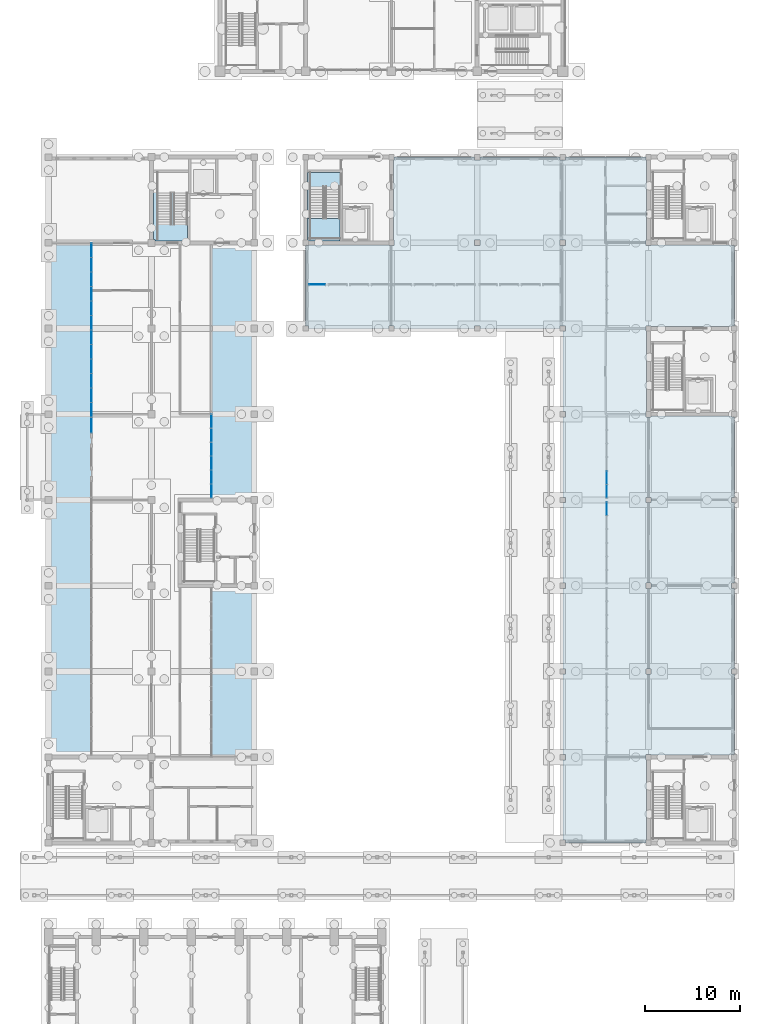
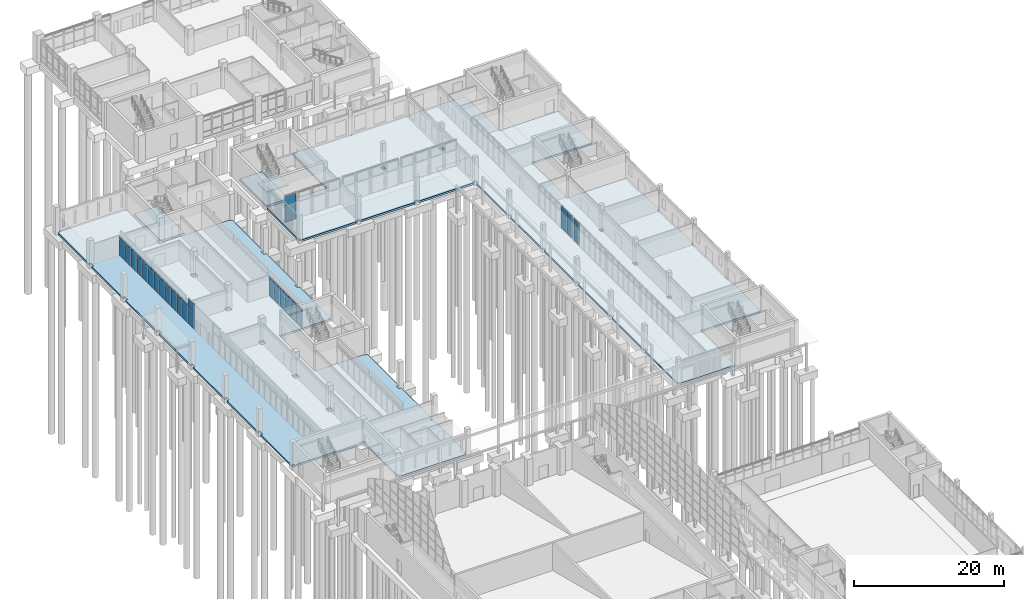
# One storey, part 60 of 106: 46 plates, 5 slabs, 7 elements without a shape of their own.
"""IFC4 building model written with IfcOpenShell, lengths in metres."""

from ifc_helpers import new_model, si_unit, direction, frame, origin, origin_2d, place, context, subcontext, project, spatial, polyline, rectangle, outline, extrude, material, layer, layer_set, type_object, element, aggregate, save


model = new_model("IFC4")

# Units and contexts
model_context = context("Model", 3, precision=1e-05, world=origin(), true_north=direction((0.0, 1.0)))
body_context = subcontext(model_context, "Body", "Model", "MODEL_VIEW")
ifc_project = project(units=[si_unit("LENGTHUNIT", "METRE"), si_unit("AREAUNIT", "SQUARE_METRE"), si_unit("VOLUMEUNIT", "CUBIC_METRE"), si_unit("PLANEANGLEUNIT", "RADIAN"), si_unit("MASSUNIT", "GRAM", prefix="KILO")], contexts=[model_context])

# Site, building, storey
site_placement = place(None, origin())
site = spatial("IfcSite", under=ifc_project, at=site_placement, CompositionType="ELEMENT")
building_placement = place(site_placement, origin())
building = spatial("IfcBuilding", under=site, at=building_placement, Name="Merrow Basin Faculty of Sciences", CompositionType="ELEMENT")
storey_placement = place(building_placement, origin())
storey = spatial("IfcBuildingStorey", under=building, at=storey_placement, Name="L00", CompositionType="ELEMENT", Elevation=0.0)

# Slabs
ifc_material_1 = material(Name="Concrete C40/50", Category="concrete")
ifc_layer_1 = layer(ifc_material_1, 0.300048828125)
ifc_layer_set_1 = layer_set([ifc_layer_1], Name="Ground slab 300 Concrete C40/50")
slab_type_1 = type_object("IfcSlabType", Name="Ground slab 300 Concrete C40/50", PredefinedType="BASESLAB", material=ifc_layer_set_1)
slab_1_placement = place(storey_placement, frame((0.0, 0.0, -0.300048828125)))
element("IfcSlab", 1, at=slab_1_placement, inside=storey, type_object=slab_type_1, Name="SL3 ground L00 001", PredefinedType="BASESLAB", context=body_context, shape_type="SweptSolid", body=[
    extrude(outline(polyline([(54.27490234375, 61.27490234375), (54.0, 61.27490234375), (54.0, 69.72509765625), (54.27490234375, 69.72509765625), (54.27490234375, 70.27490234375), (54.0, 70.27490234375), (54.0, 78.72509765625), (54.27490234375, 78.72509765625), (54.27490234375, 79.27490234375), (54.0, 79.27490234375), (54.0, 87.72509765625), (54.27490234375, 87.72509765625), (54.27490234375, 88.27490234375), (54.0, 88.27490234375), (54.0, 96.72509765625), (54.27490234375, 96.72509765625), (54.27490234375, 97.27490234375), (54.0, 97.27490234375), (54.0, 105.72509765625), (54.27490234375, 105.72509765625), (54.27490234375, 106.27490234375), (54.0, 106.27490234375), (54.0, 114.72509765625), (54.27490234375, 114.72509765625), (54.27490234375, 115.27490234375), (53.72509765625, 115.27490234375), (53.72509765625, 115.0), (45.27490234375, 115.0), (45.27490234375, 115.27490234375), (44.72509765625, 115.27490234375), (44.72509765625, 115.0), (36.27490234375, 115.0), (36.27490234375, 115.27490234375), (35.72509765625, 115.27490234375), (35.72509765625, 115.0), (27.27490234375, 115.0), (27.27490234375, 115.27490234375), (27.0, 115.27490234375), (27.0, 123.72509765625), (27.27490234375, 123.72509765625), (27.27490234375, 123.800048828125), (35.72509765625, 123.800048828125), (35.72509765625, 123.72509765625), (36.27490234375, 123.72509765625), (36.27490234375, 124.27490234375), (36.199951171875, 124.27490234375), (36.199951171875, 132.72509765625), (36.27490234375, 132.72509765625), (36.27490234375, 133.0), (44.72509765625, 133.0), (44.72509765625, 132.72509765625), (45.27490234375, 132.72509765625), (45.27490234375, 133.0), (53.72509765625, 133.0), (53.72509765625, 132.72509765625), (54.27490234375, 132.72509765625), (54.27490234375, 133.0), (62.72509765625, 133.0), (62.72509765625, 132.72509765625), (62.800048828125, 132.72509765625), (62.800048828125, 124.27490234375), (62.72509765625, 124.27490234375), (62.72509765625, 123.72509765625), (63.27490234375, 123.72509765625), (63.27490234375, 123.800048828125), (71.72509765625, 123.800048828125), (71.72509765625, 123.72509765625), (72.0, 123.72509765625), (72.0, 115.27490234375), (71.72509765625, 115.27490234375), (71.72509765625, 115.199951171875), (63.27490234375, 115.199951171875), (63.27490234375, 115.27490234375), (62.72509765625, 115.27490234375), (62.72509765625, 114.72509765625), (62.800048828125, 114.72509765625), (62.800048828125, 106.27490234375), (62.72509765625, 106.27490234375), (62.72509765625, 105.72509765625), (63.27490234375, 105.72509765625), (63.27490234375, 105.800048828125), (71.72509765625, 105.800048828125), (71.72509765625, 105.72509765625), (72.0, 105.72509765625), (72.0, 97.27490234375), (71.72509765625, 97.27490234375), (71.72509765625, 96.72509765625), (72.0, 96.72509765625), (72.0, 88.27490234375), (71.72509765625, 88.27490234375), (71.72509765625, 87.72509765625), (72.0, 87.72509765625), (72.0, 79.27490234375), (71.72509765625, 79.27490234375), (71.72509765625, 78.72509765625), (72.0, 78.72509765625), (72.0, 70.27490234375), (71.72509765625, 70.27490234375), (71.72509765625, 70.199951171875), (63.27490234375, 70.199951171875), (63.27490234375, 70.27490234375), (62.72509765625, 70.27490234375), (62.72509765625, 69.72509765625), (62.800048828125, 69.72509765625), (62.800048828125, 61.27490234375), (62.72509765625, 61.27490234375), (62.72509765625, 61.0), (54.27490234375, 61.0), (54.27490234375, 61.27490234375)]), holes=[polyline([(62.72509765625, 79.27490234375), (62.72509765625, 78.72509765625), (63.27490234375, 78.72509765625), (63.27490234375, 79.27490234375), (62.72509765625, 79.27490234375)]), polyline([(62.72509765625, 88.27490234375), (62.72509765625, 87.72509765625), (63.27490234375, 87.72509765625), (63.27490234375, 88.27490234375), (62.72509765625, 88.27490234375)]), polyline([(63.27490234375, 97.27490234375), (62.72509765625, 97.27490234375), (62.72509765625, 96.72509765625), (63.27490234375, 96.72509765625), (63.27490234375, 97.27490234375)]), polyline([(53.72509765625, 124.27490234375), (53.72509765625, 123.72509765625), (54.27490234375, 123.72509765625), (54.27490234375, 124.27490234375), (53.72509765625, 124.27490234375)]), polyline([(44.72509765625, 124.27490234375), (44.72509765625, 123.72509765625), (45.27490234375, 123.72509765625), (45.27490234375, 124.27490234375), (44.72509765625, 124.27490234375)])]), origin(), (0.0, 0.0, 1.0), 0.300048828125),
])
slab_2_placement = place(storey_placement, frame((0.0, 0.0, -0.300048828125)))
element("IfcSlab", 2, at=slab_2_placement, inside=storey, type_object=slab_type_1, Name="SL3 ground L00 006", PredefinedType="BASESLAB", context=body_context, shape_type="SweptSolid", body=[
    extrude(outline(polyline([(30.60009765625, 131.39990234375), (30.60009765625, 124.199951171875), (27.27490234375, 124.199951171875), (27.27490234375, 124.27490234375), (27.199951171875, 124.27490234375), (27.199951171875, 131.39990234375), (30.60009765625, 131.39990234375)])), origin(), (0.0, 0.0, 1.0), 0.300048828125),
])
slab_3_placement = place(storey_placement, frame((0.0, 0.0, -0.300048828125)))
element("IfcSlab", 3, at=slab_3_placement, inside=storey, type_object=slab_type_1, Name="SL3 ground L00 001", PredefinedType="BASESLAB", context=body_context, shape_type="SweptSolid", body=[
    extrude(outline(polyline([(0.35009765625, 78.64990234375), (0.35009765625, 79.35009765625), (0.0, 79.35009765625), (0.0, 87.64990234375), (0.35009765625, 87.64990234375), (0.35009765625, 88.35009765625), (0.0, 88.35009765625), (0.0, 96.64990234375), (0.35009765625, 96.64990234375), (0.35009765625, 97.35009765625), (0.0, 97.35009765625), (0.0, 105.64990234375), (0.35009765625, 105.64990234375), (0.35009765625, 106.35009765625), (0.0, 106.35009765625), (0.0, 114.64990234375), (0.35009765625, 114.64990234375), (0.35009765625, 115.35009765625), (0.0, 115.35009765625), (0.0, 123.64990234375), (0.35009765625, 123.64990234375), (0.35009765625, 124.35009765625), (0.0, 124.35009765625), (0.0, 132.64990234375), (0.35009765625, 132.64990234375), (0.35009765625, 133.0), (10.425048828125, 133.0), (10.425048828125, 132.625), (10.60009765625, 132.625), (10.60009765625, 124.375), (10.425048828125, 124.375), (10.425048828125, 123.625), (11.175048828125, 123.625), (11.175048828125, 123.800048828125), (21.25, 123.800048828125), (21.25, 123.64990234375), (21.60009765625, 123.64990234375), (21.60009765625, 115.35009765625), (21.25, 115.35009765625), (21.25, 114.64990234375), (21.60009765625, 114.64990234375), (21.60009765625, 106.35009765625), (21.25, 106.35009765625), (21.25, 105.64990234375), (21.60009765625, 105.64990234375), (21.60009765625, 97.35009765625), (21.25, 97.35009765625), (21.25, 97.199951171875), (13.60009765625, 97.199951171875), (13.60009765625, 96.800048828125), (13.60009765625, 88.199951171875), (13.60009765625, 87.800048828125), (21.25, 87.800048828125), (21.25, 87.64990234375), (21.60009765625, 87.64990234375), (21.60009765625, 79.35009765625), (21.25, 79.35009765625), (21.25, 78.64990234375), (21.60009765625, 78.64990234375), (21.60009765625, 70.35009765625), (21.25, 70.35009765625), (21.25, 69.64990234375), (21.60009765625, 69.64990234375), (21.60009765625, 61.35009765625), (21.25, 61.35009765625), (21.25, 61.0), (11.175048828125, 61.0), (11.175048828125, 61.375), (11.0, 61.375), (11.0, 69.625), (11.175048828125, 69.625), (11.175048828125, 70.375), (10.425048828125, 70.375), (10.425048828125, 70.199951171875), (0.35009765625, 70.199951171875), (0.35009765625, 70.35009765625), (0.0, 70.35009765625), (0.0, 78.64990234375), (0.35009765625, 78.64990234375)]), holes=[polyline([(10.425048828125, 79.375), (10.425048828125, 78.625), (11.175048828125, 78.625), (11.175048828125, 79.375), (10.425048828125, 79.375)]), polyline([(10.425048828125, 88.375), (10.425048828125, 87.625), (11.175048828125, 87.625), (11.175048828125, 88.375), (10.425048828125, 88.375)]), polyline([(10.425048828125, 97.375), (10.425048828125, 96.625), (11.175048828125, 96.625), (11.175048828125, 97.375), (10.425048828125, 97.375)]), polyline([(10.425048828125, 106.375), (10.425048828125, 105.625), (11.175048828125, 105.625), (11.175048828125, 106.375), (10.425048828125, 106.375)]), polyline([(10.425048828125, 115.375), (10.425048828125, 114.625), (11.175048828125, 114.625), (11.175048828125, 115.375), (10.425048828125, 115.375)])]), origin(), (0.0, 0.0, 1.0), 0.300048828125),
])
slab_4_placement = place(storey_placement, frame((0.0, 0.0, -0.300048828125)))
element("IfcSlab", 4, at=slab_4_placement, inside=storey, type_object=slab_type_1, Name="SL3 ground L00 005", PredefinedType="BASESLAB", context=body_context, shape_type="SweptSolid", body=[
    extrude(outline(polyline([(11.0, 131.39990234375), (14.699951171875, 131.39990234375), (14.699951171875, 129.199951171875), (14.60009765625, 129.199951171875), (14.60009765625, 124.199951171875), (11.175048828125, 124.199951171875), (11.175048828125, 124.375), (11.0, 124.375), (11.0, 131.39990234375)])), origin(), (0.0, 0.0, 1.0), 0.300048828125),
])

# Curtain wall, plates
ifc_material_2 = material(Name="Aluminium alloy 6063", Category="aluminium")
curtain_wall_type_1 = type_object("IfcCurtainWallType", Name="Bar ground curtain wall 200", PredefinedType="NOTDEFINED", material=ifc_material_2)
curtain_wall_1_placement = place(storey_placement, origin())
curtain_wall_1 = element("IfcCurtainWall", 5, at=curtain_wall_1_placement, inside=storey, type_object=curtain_wall_type_1, Name="Ground curtain wall L00 3", PredefinedType="NOTDEFINED")
ifc_material_3 = material(Name="Laminated safety glass", Category="glass")
ifc_layer_2 = layer(ifc_material_3, 0.035888671875)
ifc_layer_set_2 = layer_set([ifc_layer_2], Name="Laminated safety glass panel 36")
plate_type = type_object("IfcPlateType", Name="Laminated safety glass panel 36", PredefinedType="CURTAIN_PANEL", material=ifc_layer_set_2)
plate_1_placement = place(storey_placement, frame((4.5, 106.4775390625, 0.06005859375), z_axis=(0.0, 0.0, 1.0), x_axis=(0.0, 1.0, 0.0)))
plate_1 = element("IfcPlate", 6, at=plate_1_placement, type_object=plate_type, Name="CW2 panel 1.1", PredefinedType="CURTAIN_PANEL", context=body_context, shape_type="SweptSolid", body=[
    extrude(rectangle(XDim=1.43505859375, YDim=0.035888671875, at=origin_2d()), origin(), (0.0, 0.0, 1.0), 2.610107421875),
])
plate_2_placement = place(storey_placement, frame((4.5, 106.4775390625, 2.72998046875), z_axis=(0.0, 0.0, 1.0), x_axis=(0.0, 1.0, 0.0)))
plate_2 = element("IfcPlate", 7, at=plate_2_placement, type_object=plate_type, Name="CW2 panel 1.2", PredefinedType="CURTAIN_PANEL", context=body_context, shape_type="SweptSolid", body=[
    extrude(rectangle(XDim=1.43505859375, YDim=0.035888671875, at=origin_2d()), origin(), (0.0, 0.0, 1.0), 0.35009765625),
])
plate_3_placement = place(storey_placement, frame((4.5, 107.987548828125, 0.06005859375), z_axis=(0.0, 0.0, 1.0), x_axis=(0.0, 1.0, 0.0)))
plate_3 = element("IfcPlate", 8, at=plate_3_placement, type_object=plate_type, Name="CW2 panel 2.1", PredefinedType="CURTAIN_PANEL", context=body_context, shape_type="SweptSolid", body=[
    extrude(rectangle(XDim=1.465087890625, YDim=0.035888671875, at=origin_2d()), origin(), (0.0, 0.0, 1.0), 2.610107421875),
])
plate_4_placement = place(storey_placement, frame((4.5, 107.987548828125, 2.72998046875), z_axis=(0.0, 0.0, 1.0), x_axis=(0.0, 1.0, 0.0)))
plate_4 = element("IfcPlate", 9, at=plate_4_placement, type_object=plate_type, Name="CW2 panel 2.2", PredefinedType="CURTAIN_PANEL", context=body_context, shape_type="SweptSolid", body=[
    extrude(rectangle(XDim=1.465087890625, YDim=0.035888671875, at=origin_2d()), origin(), (0.0, 0.0, 1.0), 0.35009765625),
])
plate_5_placement = place(storey_placement, frame((4.5, 109.512451171875, 0.06005859375), z_axis=(0.0, 0.0, 1.0), x_axis=(0.0, 1.0, 0.0)))
plate_5 = element("IfcPlate", 10, at=plate_5_placement, type_object=plate_type, Name="CW2 panel 3.1", PredefinedType="CURTAIN_PANEL", context=body_context, shape_type="SweptSolid", body=[
    extrude(rectangle(XDim=1.465087890625, YDim=0.035888671875, at=origin_2d()), origin(), (0.0, 0.0, 1.0), 2.610107421875),
])
plate_6_placement = place(storey_placement, frame((4.5, 109.512451171875, 2.72998046875), z_axis=(0.0, 0.0, 1.0), x_axis=(0.0, 1.0, 0.0)))
plate_6 = element("IfcPlate", 11, at=plate_6_placement, type_object=plate_type, Name="CW2 panel 3.2", PredefinedType="CURTAIN_PANEL", context=body_context, shape_type="SweptSolid", body=[
    extrude(rectangle(XDim=1.465087890625, YDim=0.035888671875, at=origin_2d()), origin(), (0.0, 0.0, 1.0), 0.35009765625),
])
plate_7_placement = place(storey_placement, frame((4.5, 111.03759765625, 0.06005859375), z_axis=(0.0, 0.0, 1.0), x_axis=(0.0, 1.0, 0.0)))
plate_7 = element("IfcPlate", 12, at=plate_7_placement, type_object=plate_type, Name="CW2 panel 4.1", PredefinedType="CURTAIN_PANEL", context=body_context, shape_type="SweptSolid", body=[
    extrude(rectangle(XDim=1.465087890625, YDim=0.035888671875, at=origin_2d()), origin(), (0.0, 0.0, 1.0), 2.610107421875),
])
plate_8_placement = place(storey_placement, frame((4.5, 111.03759765625, 2.72998046875), z_axis=(0.0, 0.0, 1.0), x_axis=(0.0, 1.0, 0.0)))
plate_8 = element("IfcPlate", 13, at=plate_8_placement, type_object=plate_type, Name="CW2 panel 4.2", PredefinedType="CURTAIN_PANEL", context=body_context, shape_type="SweptSolid", body=[
    extrude(rectangle(XDim=1.465087890625, YDim=0.035888671875, at=origin_2d()), origin(), (0.0, 0.0, 1.0), 0.35009765625),
])
plate_9_placement = place(storey_placement, frame((4.5, 112.5625, 0.06005859375), z_axis=(0.0, 0.0, 1.0), x_axis=(0.0, 1.0, 0.0)))
plate_9 = element("IfcPlate", 14, at=plate_9_placement, type_object=plate_type, Name="CW2 panel 5.1", PredefinedType="CURTAIN_PANEL", context=body_context, shape_type="SweptSolid", body=[
    extrude(rectangle(XDim=1.465087890625, YDim=0.035888671875, at=origin_2d()), origin(), (0.0, 0.0, 1.0), 2.610107421875),
])
plate_10_placement = place(storey_placement, frame((4.5, 112.5625, 2.72998046875), z_axis=(0.0, 0.0, 1.0), x_axis=(0.0, 1.0, 0.0)))
plate_10 = element("IfcPlate", 15, at=plate_10_placement, type_object=plate_type, Name="CW2 panel 5.2", PredefinedType="CURTAIN_PANEL", context=body_context, shape_type="SweptSolid", body=[
    extrude(rectangle(XDim=1.465087890625, YDim=0.035888671875, at=origin_2d()), origin(), (0.0, 0.0, 1.0), 0.35009765625),
])
plate_11_placement = place(storey_placement, frame((4.5, 114.08740234375, 0.06005859375), z_axis=(0.0, 0.0, 1.0), x_axis=(0.0, 1.0, 0.0)))
plate_11 = element("IfcPlate", 16, at=plate_11_placement, type_object=plate_type, Name="CW2 panel 6.1", PredefinedType="CURTAIN_PANEL", context=body_context, shape_type="SweptSolid", body=[
    extrude(rectangle(XDim=1.465087890625, YDim=0.035888671875, at=origin_2d()), origin(), (0.0, 0.0, 1.0), 2.610107421875),
])
plate_12_placement = place(storey_placement, frame((4.5, 114.08740234375, 2.72998046875), z_axis=(0.0, 0.0, 1.0), x_axis=(0.0, 1.0, 0.0)))
plate_12 = element("IfcPlate", 17, at=plate_12_placement, type_object=plate_type, Name="CW2 panel 6.2", PredefinedType="CURTAIN_PANEL", context=body_context, shape_type="SweptSolid", body=[
    extrude(rectangle(XDim=1.465087890625, YDim=0.035888671875, at=origin_2d()), origin(), (0.0, 0.0, 1.0), 0.35009765625),
])
plate_13_placement = place(storey_placement, frame((4.5, 115.612548828125, 0.06005859375), z_axis=(0.0, 0.0, 1.0), x_axis=(0.0, 1.0, 0.0)))
plate_13 = element("IfcPlate", 18, at=plate_13_placement, type_object=plate_type, Name="CW2 panel 7.1", PredefinedType="CURTAIN_PANEL", context=body_context, shape_type="SweptSolid", body=[
    extrude(rectangle(XDim=1.465087890625, YDim=0.035888671875, at=origin_2d()), origin(), (0.0, 0.0, 1.0), 2.610107421875),
])
plate_14_placement = place(storey_placement, frame((4.5, 115.612548828125, 2.72998046875), z_axis=(0.0, 0.0, 1.0), x_axis=(0.0, 1.0, 0.0)))
plate_14 = element("IfcPlate", 19, at=plate_14_placement, type_object=plate_type, Name="CW2 panel 7.2", PredefinedType="CURTAIN_PANEL", context=body_context, shape_type="SweptSolid", body=[
    extrude(rectangle(XDim=1.465087890625, YDim=0.035888671875, at=origin_2d()), origin(), (0.0, 0.0, 1.0), 0.35009765625),
])
plate_15_placement = place(storey_placement, frame((4.5, 117.137451171875, 0.06005859375), z_axis=(0.0, 0.0, 1.0), x_axis=(0.0, 1.0, 0.0)))
plate_15 = element("IfcPlate", 20, at=plate_15_placement, type_object=plate_type, Name="CW2 panel 8.1", PredefinedType="CURTAIN_PANEL", context=body_context, shape_type="SweptSolid", body=[
    extrude(rectangle(XDim=1.465087890625, YDim=0.035888671875, at=origin_2d()), origin(), (0.0, 0.0, 1.0), 2.610107421875),
])
plate_16_placement = place(storey_placement, frame((4.5, 117.137451171875, 2.72998046875), z_axis=(0.0, 0.0, 1.0), x_axis=(0.0, 1.0, 0.0)))
plate_16 = element("IfcPlate", 21, at=plate_16_placement, type_object=plate_type, Name="CW2 panel 8.2", PredefinedType="CURTAIN_PANEL", context=body_context, shape_type="SweptSolid", body=[
    extrude(rectangle(XDim=1.465087890625, YDim=0.035888671875, at=origin_2d()), origin(), (0.0, 0.0, 1.0), 0.35009765625),
])
plate_17_placement = place(storey_placement, frame((4.5, 118.66259765625, 0.06005859375), z_axis=(0.0, 0.0, 1.0), x_axis=(0.0, 1.0, 0.0)))
plate_17 = element("IfcPlate", 22, at=plate_17_placement, type_object=plate_type, Name="CW2 panel 9.1", PredefinedType="CURTAIN_PANEL", context=body_context, shape_type="SweptSolid", body=[
    extrude(rectangle(XDim=1.465087890625, YDim=0.035888671875, at=origin_2d()), origin(), (0.0, 0.0, 1.0), 2.610107421875),
])
plate_18_placement = place(storey_placement, frame((4.5, 118.66259765625, 2.72998046875), z_axis=(0.0, 0.0, 1.0), x_axis=(0.0, 1.0, 0.0)))
plate_18 = element("IfcPlate", 23, at=plate_18_placement, type_object=plate_type, Name="CW2 panel 9.2", PredefinedType="CURTAIN_PANEL", context=body_context, shape_type="SweptSolid", body=[
    extrude(rectangle(XDim=1.465087890625, YDim=0.035888671875, at=origin_2d()), origin(), (0.0, 0.0, 1.0), 0.35009765625),
])
plate_19_placement = place(storey_placement, frame((4.5, 120.1875, 0.06005859375), z_axis=(0.0, 0.0, 1.0), x_axis=(0.0, 1.0, 0.0)))
plate_19 = element("IfcPlate", 24, at=plate_19_placement, type_object=plate_type, Name="CW2 panel 10.1", PredefinedType="CURTAIN_PANEL", context=body_context, shape_type="SweptSolid", body=[
    extrude(rectangle(XDim=1.465087890625, YDim=0.035888671875, at=origin_2d()), origin(), (0.0, 0.0, 1.0), 2.610107421875),
])
plate_20_placement = place(storey_placement, frame((4.5, 120.1875, 2.72998046875), z_axis=(0.0, 0.0, 1.0), x_axis=(0.0, 1.0, 0.0)))
plate_20 = element("IfcPlate", 25, at=plate_20_placement, type_object=plate_type, Name="CW2 panel 10.2", PredefinedType="CURTAIN_PANEL", context=body_context, shape_type="SweptSolid", body=[
    extrude(rectangle(XDim=1.465087890625, YDim=0.035888671875, at=origin_2d()), origin(), (0.0, 0.0, 1.0), 0.35009765625),
])
plate_21_placement = place(storey_placement, frame((4.5, 121.71240234375, 0.06005859375), z_axis=(0.0, 0.0, 1.0), x_axis=(0.0, 1.0, 0.0)))
plate_21 = element("IfcPlate", 26, at=plate_21_placement, type_object=plate_type, Name="CW2 panel 11.1", PredefinedType="CURTAIN_PANEL", context=body_context, shape_type="SweptSolid", body=[
    extrude(rectangle(XDim=1.465087890625, YDim=0.035888671875, at=origin_2d()), origin(), (0.0, 0.0, 1.0), 2.610107421875),
])
plate_22_placement = place(storey_placement, frame((4.5, 121.71240234375, 2.72998046875), z_axis=(0.0, 0.0, 1.0), x_axis=(0.0, 1.0, 0.0)))
plate_22 = element("IfcPlate", 27, at=plate_22_placement, type_object=plate_type, Name="CW2 panel 11.2", PredefinedType="CURTAIN_PANEL", context=body_context, shape_type="SweptSolid", body=[
    extrude(rectangle(XDim=1.465087890625, YDim=0.035888671875, at=origin_2d()), origin(), (0.0, 0.0, 1.0), 0.35009765625),
])
plate_23_placement = place(storey_placement, frame((4.5, 123.222412109375, 0.06005859375), z_axis=(0.0, 0.0, 1.0), x_axis=(0.0, 1.0, 0.0)))
plate_23 = element("IfcPlate", 28, at=plate_23_placement, type_object=plate_type, Name="CW2 panel 12.1", PredefinedType="CURTAIN_PANEL", context=body_context, shape_type="SweptSolid", body=[
    extrude(rectangle(XDim=1.43505859375, YDim=0.035888671875, at=origin_2d()), origin(), (0.0, 0.0, 1.0), 2.610107421875),
])
plate_24_placement = place(storey_placement, frame((4.5, 123.222412109375, 2.72998046875), z_axis=(0.0, 0.0, 1.0), x_axis=(0.0, 1.0, 0.0)))
plate_24 = element("IfcPlate", 29, at=plate_24_placement, type_object=plate_type, Name="CW2 panel 12.2", PredefinedType="CURTAIN_PANEL", context=body_context, shape_type="SweptSolid", body=[
    extrude(rectangle(XDim=1.43505859375, YDim=0.035888671875, at=origin_2d()), origin(), (0.0, 0.0, 1.0), 0.35009765625),
])
aggregate(curtain_wall_1, [plate_1, plate_2, plate_3, plate_4, plate_5, plate_6, plate_7, plate_8, plate_9, plate_10, plate_11, plate_12, plate_13, plate_14, plate_15, plate_16, plate_17, plate_18, plate_19, plate_20, plate_21, plate_22, plate_23, plate_24])

curtain_wall_2_placement = place(storey_placement, origin())
curtain_wall_2 = element("IfcCurtainWall", 30, at=curtain_wall_2_placement, inside=storey, type_object=curtain_wall_type_1, Name="Ground curtain wall L00 4", PredefinedType="NOTDEFINED")
plate_25_placement = place(storey_placement, frame((4.5, 104.85009765625, 0.06005859375), z_axis=(0.0, 0.0, 1.0), x_axis=(0.0, 1.0, 0.0)))
plate_25 = element("IfcPlate", 31, at=plate_25_placement, type_object=plate_type, Name="CW2 panel 1.1", PredefinedType="CURTAIN_PANEL", context=body_context, shape_type="SweptSolid", body=[
    extrude(rectangle(XDim=1.580078125, YDim=0.035888671875, at=origin_2d()), origin(), (0.0, 0.0, 1.0), 2.610107421875),
])
plate_26_placement = place(storey_placement, frame((4.5, 104.85009765625, 2.72998046875), z_axis=(0.0, 0.0, 1.0), x_axis=(0.0, 1.0, 0.0)))
plate_26 = element("IfcPlate", 32, at=plate_26_placement, type_object=plate_type, Name="CW2 panel 1.2", PredefinedType="CURTAIN_PANEL", context=body_context, shape_type="SweptSolid", body=[
    extrude(rectangle(XDim=1.580078125, YDim=0.035888671875, at=origin_2d()), origin(), (0.0, 0.0, 1.0), 1.409912109375),
])
aggregate(curtain_wall_2, [plate_25, plate_26])

curtain_wall_3_placement = place(storey_placement, origin())
curtain_wall_3 = element("IfcCurtainWall", 33, at=curtain_wall_3_placement, inside=storey, type_object=curtain_wall_type_1, Name="Ground curtain wall L00 6", PredefinedType="NOTDEFINED")
plate_27_placement = place(storey_placement, frame((17.10009765625, 97.9482421875, 0.06005859375), z_axis=(0.0, 0.0, 1.0), x_axis=(0.0, 1.0, 0.0)))
plate_27 = element("IfcPlate", 34, at=plate_27_placement, type_object=plate_type, Name="CW2 panel 1.1", PredefinedType="CURTAIN_PANEL", context=body_context, shape_type="SweptSolid", body=[
    extrude(rectangle(XDim=1.376708984375, YDim=0.035888671875, at=origin_2d()), origin(), (0.0, 0.0, 1.0), 2.610107421875),
])
plate_28_placement = place(storey_placement, frame((17.10009765625, 97.9482421875, 2.72998046875), z_axis=(0.0, 0.0, 1.0), x_axis=(0.0, 1.0, 0.0)))
plate_28 = element("IfcPlate", 35, at=plate_28_placement, type_object=plate_type, Name="CW2 panel 1.2", PredefinedType="CURTAIN_PANEL", context=body_context, shape_type="SweptSolid", body=[
    extrude(rectangle(XDim=1.376708984375, YDim=0.035888671875, at=origin_2d()), origin(), (0.0, 0.0, 1.0), 0.35009765625),
])
plate_29_placement = place(storey_placement, frame((17.10009765625, 99.39990234375, 0.06005859375), z_axis=(0.0, 0.0, 1.0), x_axis=(0.0, 1.0, 0.0)))
plate_29 = element("IfcPlate", 36, at=plate_29_placement, type_object=plate_type, Name="CW2 panel 2.1", PredefinedType="CURTAIN_PANEL", context=body_context, shape_type="SweptSolid", body=[
    extrude(rectangle(XDim=1.40673828125, YDim=0.035888671875, at=origin_2d()), origin(), (0.0, 0.0, 1.0), 2.610107421875),
])
plate_30_placement = place(storey_placement, frame((17.10009765625, 99.39990234375, 2.72998046875), z_axis=(0.0, 0.0, 1.0), x_axis=(0.0, 1.0, 0.0)))
plate_30 = element("IfcPlate", 37, at=plate_30_placement, type_object=plate_type, Name="CW2 panel 2.2", PredefinedType="CURTAIN_PANEL", context=body_context, shape_type="SweptSolid", body=[
    extrude(rectangle(XDim=1.40673828125, YDim=0.035888671875, at=origin_2d()), origin(), (0.0, 0.0, 1.0), 0.35009765625),
])
plate_31_placement = place(storey_placement, frame((17.10009765625, 100.86669921875, 0.06005859375), z_axis=(0.0, 0.0, 1.0), x_axis=(0.0, 1.0, 0.0)))
plate_31 = element("IfcPlate", 38, at=plate_31_placement, type_object=plate_type, Name="CW2 panel 3.1", PredefinedType="CURTAIN_PANEL", context=body_context, shape_type="SweptSolid", body=[
    extrude(rectangle(XDim=1.40673828125, YDim=0.035888671875, at=origin_2d()), origin(), (0.0, 0.0, 1.0), 2.610107421875),
])
plate_32_placement = place(storey_placement, frame((17.10009765625, 100.86669921875, 2.72998046875), z_axis=(0.0, 0.0, 1.0), x_axis=(0.0, 1.0, 0.0)))
plate_32 = element("IfcPlate", 39, at=plate_32_placement, type_object=plate_type, Name="CW2 panel 3.2", PredefinedType="CURTAIN_PANEL", context=body_context, shape_type="SweptSolid", body=[
    extrude(rectangle(XDim=1.40673828125, YDim=0.035888671875, at=origin_2d()), origin(), (0.0, 0.0, 1.0), 0.35009765625),
])
plate_33_placement = place(storey_placement, frame((17.10009765625, 102.333251953125, 0.06005859375), z_axis=(0.0, 0.0, 1.0), x_axis=(0.0, 1.0, 0.0)))
plate_33 = element("IfcPlate", 40, at=plate_33_placement, type_object=plate_type, Name="CW2 panel 4.1", PredefinedType="CURTAIN_PANEL", context=body_context, shape_type="SweptSolid", body=[
    extrude(rectangle(XDim=1.40673828125, YDim=0.035888671875, at=origin_2d()), origin(), (0.0, 0.0, 1.0), 2.610107421875),
])
plate_34_placement = place(storey_placement, frame((17.10009765625, 102.333251953125, 2.72998046875), z_axis=(0.0, 0.0, 1.0), x_axis=(0.0, 1.0, 0.0)))
plate_34 = element("IfcPlate", 41, at=plate_34_placement, type_object=plate_type, Name="CW2 panel 4.2", PredefinedType="CURTAIN_PANEL", context=body_context, shape_type="SweptSolid", body=[
    extrude(rectangle(XDim=1.40673828125, YDim=0.035888671875, at=origin_2d()), origin(), (0.0, 0.0, 1.0), 0.35009765625),
])
plate_35_placement = place(storey_placement, frame((17.10009765625, 103.800048828125, 0.06005859375), z_axis=(0.0, 0.0, 1.0), x_axis=(0.0, 1.0, 0.0)))
plate_35 = element("IfcPlate", 42, at=plate_35_placement, type_object=plate_type, Name="CW2 panel 5.1", PredefinedType="CURTAIN_PANEL", context=body_context, shape_type="SweptSolid", body=[
    extrude(rectangle(XDim=1.40673828125, YDim=0.035888671875, at=origin_2d()), origin(), (0.0, 0.0, 1.0), 2.610107421875),
])
plate_36_placement = place(storey_placement, frame((17.10009765625, 103.800048828125, 2.72998046875), z_axis=(0.0, 0.0, 1.0), x_axis=(0.0, 1.0, 0.0)))
plate_36 = element("IfcPlate", 43, at=plate_36_placement, type_object=plate_type, Name="CW2 panel 5.2", PredefinedType="CURTAIN_PANEL", context=body_context, shape_type="SweptSolid", body=[
    extrude(rectangle(XDim=1.40673828125, YDim=0.035888671875, at=origin_2d()), origin(), (0.0, 0.0, 1.0), 0.35009765625),
])
plate_37_placement = place(storey_placement, frame((17.10009765625, 105.251708984375, 0.06005859375), z_axis=(0.0, 0.0, 1.0), x_axis=(0.0, 1.0, 0.0)))
plate_37 = element("IfcPlate", 44, at=plate_37_placement, type_object=plate_type, Name="CW2 panel 6.1", PredefinedType="CURTAIN_PANEL", context=body_context, shape_type="SweptSolid", body=[
    extrude(rectangle(XDim=1.376708984375, YDim=0.035888671875, at=origin_2d()), origin(), (0.0, 0.0, 1.0), 2.610107421875),
])
plate_38_placement = place(storey_placement, frame((17.10009765625, 105.251708984375, 2.72998046875), z_axis=(0.0, 0.0, 1.0), x_axis=(0.0, 1.0, 0.0)))
plate_38 = element("IfcPlate", 45, at=plate_38_placement, type_object=plate_type, Name="CW2 panel 6.2", PredefinedType="CURTAIN_PANEL", context=body_context, shape_type="SweptSolid", body=[
    extrude(rectangle(XDim=1.376708984375, YDim=0.035888671875, at=origin_2d()), origin(), (0.0, 0.0, 1.0), 0.35009765625),
])
aggregate(curtain_wall_3, [plate_27, plate_28, plate_29, plate_30, plate_31, plate_32, plate_33, plate_34, plate_35, plate_36, plate_37, plate_38])

ifc_material_4 = material(Name="Aluminium alloy 6063", Category="aluminium")
curtain_wall_type_2 = type_object("IfcCurtainWallType", Name="Arcade curtain wall 220", PredefinedType="NOTDEFINED", material=ifc_material_4)
curtain_wall_4_placement = place(storey_placement, origin())
curtain_wall_4 = element("IfcCurtainWall", 46, at=curtain_wall_4_placement, inside=storey, type_object=curtain_wall_type_2, Name="Arcade curtain wall L00 3", PredefinedType="NOTDEFINED")
plate_39_placement = place(storey_placement, frame((58.610107421875, 96.068359375, 0.06005859375), z_axis=(0.0, 0.0, 1.0), x_axis=(0.0, 1.0, 0.0)))
plate_39 = element("IfcPlate", 47, at=plate_39_placement, type_object=plate_type, Name="CW9 panel 6.1", PredefinedType="CURTAIN_PANEL", context=body_context, shape_type="SweptSolid", body=[
    extrude(rectangle(XDim=1.34326171875, YDim=0.035888671875, at=origin_2d()), origin(), (0.0, 0.0, 1.0), 2.610107421875),
])
plate_40_placement = place(storey_placement, frame((58.610107421875, 96.068359375, 2.72998046875), z_axis=(0.0, 0.0, 1.0), x_axis=(0.0, 1.0, 0.0)))
plate_40 = element("IfcPlate", 48, at=plate_40_placement, type_object=plate_type, Name="CW9 panel 6.2", PredefinedType="CURTAIN_PANEL", context=body_context, shape_type="SweptSolid", body=[
    extrude(rectangle(XDim=1.34326171875, YDim=0.035888671875, at=origin_2d()), origin(), (0.0, 0.0, 1.0), 0.909912109375),
])
aggregate(curtain_wall_4, [plate_39, plate_40])

curtain_wall_5_placement = place(storey_placement, origin())
curtain_wall_5 = element("IfcCurtainWall", 49, at=curtain_wall_5_placement, inside=storey, type_object=curtain_wall_type_2, Name="Arcade curtain wall L00 4", PredefinedType="NOTDEFINED")
plate_41_placement = place(storey_placement, frame((58.610107421875, 97.931640625, 0.06005859375), z_axis=(0.0, 0.0, 1.0), x_axis=(0.0, 1.0, 0.0)))
plate_41 = element("IfcPlate", 50, at=plate_41_placement, type_object=plate_type, Name="CW9 panel 1.1", PredefinedType="CURTAIN_PANEL", context=body_context, shape_type="SweptSolid", body=[
    extrude(rectangle(XDim=1.34326171875, YDim=0.035888671875, at=origin_2d()), origin(), (0.0, 0.0, 1.0), 2.610107421875),
])
plate_42_placement = place(storey_placement, frame((58.610107421875, 97.931640625, 2.72998046875), z_axis=(0.0, 0.0, 1.0), x_axis=(0.0, 1.0, 0.0)))
plate_42 = element("IfcPlate", 51, at=plate_42_placement, type_object=plate_type, Name="CW9 panel 1.2", PredefinedType="CURTAIN_PANEL", context=body_context, shape_type="SweptSolid", body=[
    extrude(rectangle(XDim=1.34326171875, YDim=0.035888671875, at=origin_2d()), origin(), (0.0, 0.0, 1.0), 0.909912109375),
])
plate_43_placement = place(storey_placement, frame((58.610107421875, 99.35009765625, 0.06005859375), z_axis=(0.0, 0.0, 1.0), x_axis=(0.0, 1.0, 0.0)))
plate_43 = element("IfcPlate", 52, at=plate_43_placement, type_object=plate_type, Name="CW9 panel 2.1", PredefinedType="CURTAIN_PANEL", context=body_context, shape_type="SweptSolid", body=[
    extrude(rectangle(XDim=1.373291015625, YDim=0.035888671875, at=origin_2d()), origin(), (0.0, 0.0, 1.0), 2.610107421875),
])
plate_44_placement = place(storey_placement, frame((58.610107421875, 99.35009765625, 2.72998046875), z_axis=(0.0, 0.0, 1.0), x_axis=(0.0, 1.0, 0.0)))
plate_44 = element("IfcPlate", 53, at=plate_44_placement, type_object=plate_type, Name="CW9 panel 2.2", PredefinedType="CURTAIN_PANEL", context=body_context, shape_type="SweptSolid", body=[
    extrude(rectangle(XDim=1.373291015625, YDim=0.035888671875, at=origin_2d()), origin(), (0.0, 0.0, 1.0), 0.909912109375),
])
aggregate(curtain_wall_5, [plate_41, plate_42, plate_43, plate_44])

curtain_wall_6_placement = place(storey_placement, origin())
curtain_wall_6 = element("IfcCurtainWall", 54, at=curtain_wall_6_placement, inside=storey, type_object=curtain_wall_type_2, Name="Arcade curtain wall L00 1", PredefinedType="NOTDEFINED")
plate_45_placement = place(storey_placement, frame((28.212890625, 119.610107421875, 0.06005859375), z_axis=(0.0, 0.0, 1.0), x_axis=(1.0, 0.0, 0.0)))
plate_45 = element("IfcPlate", 55, at=plate_45_placement, type_object=plate_type, Name="CW9 panel 1.1", PredefinedType="CURTAIN_PANEL", context=body_context, shape_type="SweptSolid", body=[
    extrude(rectangle(XDim=1.7041015625, YDim=0.035888671875, at=origin_2d()), origin(), (0.0, 0.0, 1.0), 2.610107421875),
])
plate_46_placement = place(storey_placement, frame((28.212890625, 119.610107421875, 2.72998046875), z_axis=(0.0, 0.0, 1.0), x_axis=(1.0, 0.0, 0.0)))
plate_46 = element("IfcPlate", 56, at=plate_46_placement, type_object=plate_type, Name="CW9 panel 1.2", PredefinedType="CURTAIN_PANEL", context=body_context, shape_type="SweptSolid", body=[
    extrude(rectangle(XDim=1.7041015625, YDim=0.035888671875, at=origin_2d()), origin(), (0.0, 0.0, 1.0), 1.4599609375),
])
aggregate(curtain_wall_6, [plate_45, plate_46])

# Stair, slab
ifc_material_5 = material(Name="Concrete C40/50", Category="concrete")
stair_type = type_object("IfcStairType", Name="Concrete dog-leg stair Concrete C40/50", PredefinedType="HALF_TURN_STAIR", material=ifc_material_5)
stair_placement = place(storey_placement, origin())
stair = element("IfcStair", 57, at=stair_placement, inside=storey, type_object=stair_type, Name="L00 Exit stair W", PredefinedType="HALF_TURN_STAIR")
ifc_material_6 = material(Name="Concrete C40/50", Category="concrete")
ifc_layer_3 = layer(ifc_material_6, 0.199951171875)
ifc_layer_set_3 = layer_set([ifc_layer_3], Name="Stair landing 200 Concrete C40/50")
slab_type_2 = type_object("IfcSlabType", Name="Stair landing 200 Concrete C40/50", PredefinedType="LANDING", material=ifc_layer_set_3)
slab_5_placement = place(storey_placement, frame((0.0, 0.0, 2.050048828125)))
slab_5 = element("IfcSlab", 58, at=slab_5_placement, type_object=slab_type_2, Name="ST-V2-W landing 1", PredefinedType="LANDING", context=body_context, shape_type="SweptSolid", body=[
    extrude(outline(polyline([(27.199951171875, 124.199951171875), (30.60009765625, 124.199951171875), (30.60009765625, 126.5400390625), (27.199951171875, 126.5400390625), (27.199951171875, 124.199951171875)])), origin(), (0.0, 0.0, 1.0), 0.199951171875),
])
aggregate(stair, [slab_5])

save(model, "model.ifc")
